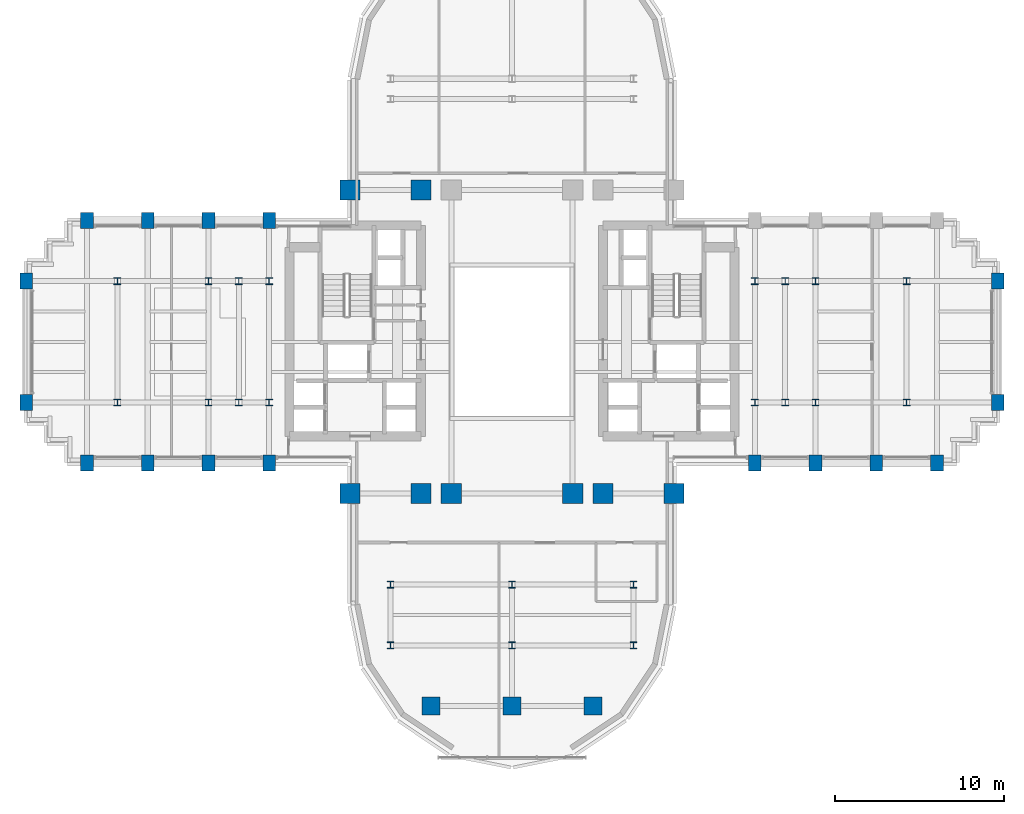
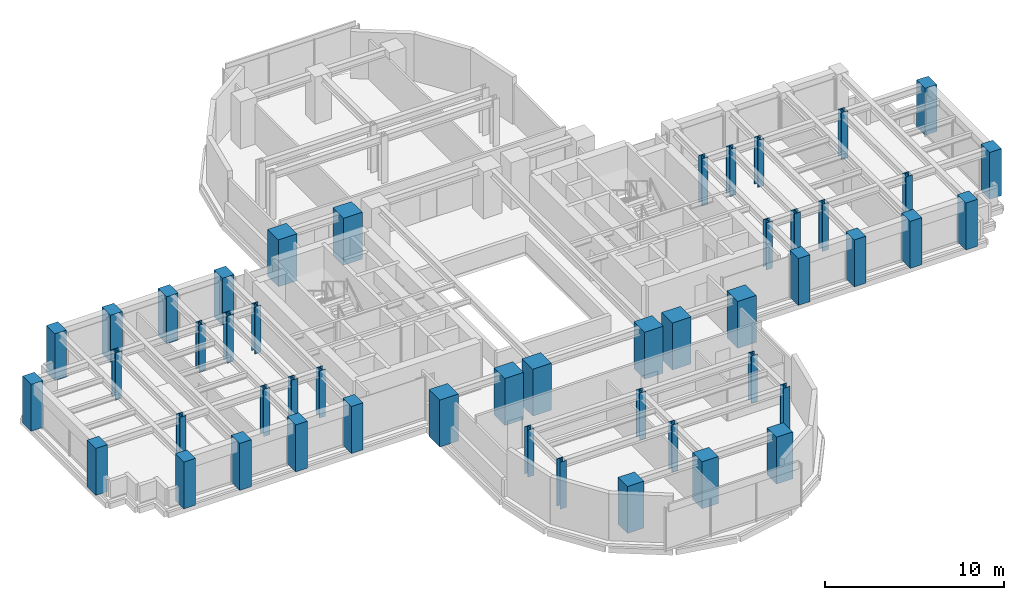
# One storey, part 1 of 16: 49 columns.
"""IFC4 building model written with IfcOpenShell, lengths in metres."""

from ifc_helpers import new_model, si_unit, direction, frame, origin, origin_2d, place, context, subcontext, project, spatial, rectangle, i_section, extrude, source, transform, mapped, material, material_profile, profile_set, type_object, element, save


model = new_model("IFC4")

# Units and contexts
model_context = context("Model", 3, precision=1e-05, world=origin(), true_north=direction((0.0, 1.0)))
body_context = subcontext(model_context, "Body", "Model", "MODEL_VIEW")
ifc_project = project(units=[si_unit("LENGTHUNIT", "METRE"), si_unit("AREAUNIT", "SQUARE_METRE"), si_unit("VOLUMEUNIT", "CUBIC_METRE"), si_unit("PLANEANGLEUNIT", "RADIAN"), si_unit("MASSUNIT", "GRAM", prefix="KILO")], contexts=[model_context])

# Site, building, storey
site_placement = place(None, origin())
site = spatial("IfcSite", under=ifc_project, at=site_placement, CompositionType="ELEMENT")
building_placement = place(site_placement, origin())
building = spatial("IfcBuilding", under=site, at=building_placement, Name="Keilestroom Media Tower", CompositionType="ELEMENT")
storey_placement = place(building_placement, frame((0.0, 0.0, 81.60009765625)))
storey = spatial("IfcBuildingStorey", under=building, at=storey_placement, Name="L21", CompositionType="ELEMENT", Elevation=81.60009765625)

# Columns
ifc_material_1 = material(Name="Precast concrete C40/50", Category="concrete")
ifc_material_profile_1 = material_profile(ifc_material_1, rectangle(XDim=0.75, YDim=0.949951171875, at=origin_2d()), Name="PC 950x750")
ifc_profile_set_1 = profile_set([ifc_material_profile_1], Name="Precast concrete C40/50")
column_type_1 = type_object("IfcColumnType", Name="Structural-Column-PC-950x750", PredefinedType="COLUMN", material=ifc_profile_set_1)
shared_shape_1 = source(origin(), body_context, "Body", "SweptSolid", [
    extrude(rectangle(XDim=0.75, YDim=0.949951171875, at=origin_2d()), origin(), (0.0, 0.0, 1.0), 3.199951171875),
])
for number, where, z_axis, x_axis, name in (
    (1, (-28.800048828125, -3.60009765625, 0.0), (0.0, 0.0, 1.0), (1.0, 0.0, 0.0), "L21 Column PC-1 (-28.8,-3.6)"),
    (2, (-28.800048828125, 3.60009765625, 0.0), (0.0, 0.0, 1.0), (1.0, 0.0, 0.0), "L21 Column PC-1 (-28.8,+3.6)"),
    (3, (-25.199951171875, -7.199951171875, 0.0), (0.0, 0.0, 1.0), (1.0, 0.0, 0.0), "L21 Column PC-1 (-25.2,-7.2)"),
    (4, (-25.199951171875, 7.199951171875, 0.0), (0.0, 0.0, 1.0), (1.0, 0.0, 0.0), "L21 Column PC-1 (-25.2,+7.2)"),
    (5, (-21.60009765625, -7.199951171875, 0.0), (0.0, 0.0, 1.0), (1.0, 0.0, 0.0), "L21 Column PC-1 (-21.6,-7.2)"),
    (6, (-21.60009765625, 7.199951171875, 0.0), (0.0, 0.0, 1.0), (1.0, 0.0, 0.0), "L21 Column PC-1 (-21.6,+7.2)"),
    (7, (-18.0, -7.199951171875, 0.0), (0.0, 0.0, 1.0), (1.0, 0.0, 0.0), "L21 Column PC-1 (-18.0,-7.2)"),
    (8, (-18.0, 7.199951171875, 0.0), (0.0, 0.0, 1.0), (1.0, 0.0, 0.0), "L21 Column PC-1 (-18.0,+7.2)"),
    (9, (-14.39990234375, -7.199951171875, 0.0), (0.0, 0.0, 1.0), (1.0, 0.0, 0.0), "L21 Column PC-1 (-14.4,-7.2)"),
    (10, (-14.39990234375, 7.199951171875, 0.0), (0.0, 0.0, 1.0), (1.0, 0.0, 0.0), "L21 Column PC-1 (-14.4,+7.2)"),
    (11, (14.39990234375, -7.199951171875, 0.0), (0.0, 0.0, 1.0), (1.0, 0.0, 0.0), "L21 Column PC-1 (+14.4,-7.2)"),
    (12, (18.0, -7.199951171875, 0.0), (0.0, 0.0, 1.0), (1.0, 0.0, 0.0), "L21 Column PC-1 (+18.0,-7.2)"),
    (13, (21.60009765625, -7.199951171875, 0.0), (0.0, 0.0, 1.0), (1.0, 0.0, 0.0), "L21 Column PC-1 (+21.6,-7.2)"),
    (14, (25.199951171875, -7.199951171875, 0.0), (0.0, 0.0, 1.0), (1.0, 0.0, 0.0), "L21 Column PC-1 (+25.2,-7.2)"),
    (15, (28.800048828125, -3.60009765625, 0.0), (0.0, 0.0, 1.0), (1.0, 0.0, 0.0), "L21 Column PC-1 (+28.8,-3.6)"),
    (16, (28.800048828125, 3.60009765625, 0.0), (0.0, 0.0, 1.0), (1.0, 0.0, 0.0), "L21 Column PC-1 (+28.8,+3.6)"),
):
    element("IfcColumn", number, at=place(storey_placement, frame(where, z_axis=z_axis, x_axis=x_axis)), inside=storey, type_object=column_type_1, Name=name, PredefinedType="COLUMN", context=body_context, shape_type="MappedRepresentation", body=[
        mapped(shared_shape_1, transform((0.0, 0.0, 0.0), x_axis=(1.0, 0.0, 0.0), y_axis=(0.0, 1.0, 0.0), z_axis=(0.0, 0.0, 1.0), scale=1.0)),
    ])
ifc_material_2 = material(Name="Steel S460", Category="steel")
ifc_material_profile_2 = material_profile(ifc_material_2, i_section(OverallWidth=0.404052734375, OverallDepth=0.406982421875, WebThickness=0.02197265625, FlangeThickness=0.035400390625, at=origin_2d()), Name="HD 400x347")
ifc_profile_set_2 = profile_set([ifc_material_profile_2], Name="Steel S460")
column_type_2 = type_object("IfcColumnType", Name="Structural-Column-HD-400x347", PredefinedType="COLUMN", material=ifc_profile_set_2)
shared_shape_2 = source(origin(), body_context, "Body", "SweptSolid", [
    extrude(i_section(OverallWidth=0.404052734375, OverallDepth=0.406982421875, WebThickness=0.02197265625, FlangeThickness=0.035400390625, at=origin_2d()), origin(), (0.0, 0.0, 1.0), 3.199951171875),
])
for number, where, z_axis, x_axis, name in (
    (17, (-23.39990234375, -3.60009765625, 0.0), (0.0, 0.0, 1.0), (1.0, 0.0, 0.0), "L21 Column SC-2 (-23.4,-3.6)"),
    (18, (-23.39990234375, 3.60009765625, 0.0), (0.0, 0.0, 1.0), (1.0, 0.0, 0.0), "L21 Column SC-2 (-23.4,+3.6)"),
    (19, (-18.0, -3.60009765625, 0.0), (0.0, 0.0, 1.0), (1.0, 0.0, 0.0), "L21 Column SC-2 (-18.0,-3.6)"),
    (20, (-18.0, 3.60009765625, 0.0), (0.0, 0.0, 1.0), (1.0, 0.0, 0.0), "L21 Column SC-2 (-18.0,+3.6)"),
    (21, (-16.199951171875, -3.60009765625, 0.0), (0.0, 0.0, 1.0), (1.0, 0.0, 0.0), "L21 Column SC-2 (-16.2,-3.6)"),
    (22, (-16.199951171875, 3.60009765625, 0.0), (0.0, 0.0, 1.0), (1.0, 0.0, 0.0), "L21 Column SC-2 (-16.2,+3.6)"),
    (23, (-14.39990234375, -3.60009765625, 0.0), (0.0, 0.0, 1.0), (1.0, 0.0, 0.0), "L21 Column SC-2 (-14.4,-3.6)"),
    (24, (-14.39990234375, 3.60009765625, 0.0), (0.0, 0.0, 1.0), (1.0, 0.0, 0.0), "L21 Column SC-2 (-14.4,+3.6)"),
    (25, (-7.199951171875, -18.0, 0.0), (0.0, 0.0, 1.0), (1.0, 0.0, 0.0), "L21 Column SC-2 (-7.2,-18.0)"),
    (26, (-7.199951171875, -14.39990234375, 0.0), (0.0, 0.0, 1.0), (1.0, 0.0, 0.0), "L21 Column SC-2 (-7.2,-14.4)"),
    (27, (0.0, -18.0, 0.0), (0.0, 0.0, 1.0), (1.0, 0.0, 0.0), "L21 Column SC-2 (+0.0,-18.0)"),
    (28, (0.0, -14.39990234375, 0.0), (0.0, 0.0, 1.0), (1.0, 0.0, 0.0), "L21 Column SC-2 (+0.0,-14.4)"),
    (29, (7.199951171875, -18.0, 0.0), (0.0, 0.0, 1.0), (1.0, 0.0, 0.0), "L21 Column SC-2 (+7.2,-18.0)"),
    (30, (7.199951171875, -14.39990234375, 0.0), (0.0, 0.0, 1.0), (1.0, 0.0, 0.0), "L21 Column SC-2 (+7.2,-14.4)"),
    (31, (14.39990234375, -3.60009765625, 0.0), (0.0, 0.0, 1.0), (1.0, 0.0, 0.0), "L21 Column SC-2 (+14.4,-3.6)"),
    (32, (14.39990234375, 3.60009765625, 0.0), (0.0, 0.0, 1.0), (1.0, 0.0, 0.0), "L21 Column SC-2 (+14.4,+3.6)"),
    (33, (16.199951171875, -3.60009765625, 0.0), (0.0, 0.0, 1.0), (1.0, 0.0, 0.0), "L21 Column SC-2 (+16.2,-3.6)"),
    (34, (16.199951171875, 3.60009765625, 0.0), (0.0, 0.0, 1.0), (1.0, 0.0, 0.0), "L21 Column SC-2 (+16.2,+3.6)"),
    (35, (18.0, -3.60009765625, 0.0), (0.0, 0.0, 1.0), (1.0, 0.0, 0.0), "L21 Column SC-2 (+18.0,-3.6)"),
    (36, (18.0, 3.60009765625, 0.0), (0.0, 0.0, 1.0), (1.0, 0.0, 0.0), "L21 Column SC-2 (+18.0,+3.6)"),
    (37, (23.39990234375, -3.60009765625, 0.0), (0.0, 0.0, 1.0), (1.0, 0.0, 0.0), "L21 Column SC-2 (+23.4,-3.6)"),
    (38, (23.39990234375, 3.60009765625, 0.0), (0.0, 0.0, 1.0), (1.0, 0.0, 0.0), "L21 Column SC-2 (+23.4,+3.6)"),
):
    element("IfcColumn", number, at=place(storey_placement, frame(where, z_axis=z_axis, x_axis=x_axis)), inside=storey, type_object=column_type_2, Name=name, PredefinedType="COLUMN", context=body_context, shape_type="MappedRepresentation", body=[
        mapped(shared_shape_2, transform((0.0, 0.0, 0.0), x_axis=(1.0, 0.0, 0.0), y_axis=(0.0, 1.0, 0.0), z_axis=(0.0, 0.0, 1.0), scale=1.0)),
    ])
ifc_material_3 = material(Name="Concrete C70/85", Category="concrete")
ifc_material_profile_3 = material_profile(ifc_material_3, rectangle(XDim=1.199951171875, YDim=1.199951171875, at=origin_2d()), Name="RC 1200x1200")
ifc_profile_set_3 = profile_set([ifc_material_profile_3], Name="Concrete C70/85")
column_type_3 = type_object("IfcColumnType", Name="Structural-Column-RC-1200x1200", PredefinedType="COLUMN", material=ifc_profile_set_3)
shared_shape_3 = source(origin(), body_context, "Body", "SweptSolid", [
    extrude(rectangle(XDim=1.199951171875, YDim=1.199951171875, at=origin_2d()), origin(), (0.0, 0.0, 1.0), 3.199951171875),
])
for number, where, z_axis, x_axis, name in (
    (39, (-9.60009765625, -9.0, 0.0), (0.0, 0.0, 1.0), (1.0, 0.0, 0.0), "L21 Column MC-2 (-9.6,-9.0)"),
    (40, (-9.60009765625, 9.0, 0.0), (0.0, 0.0, 1.0), (1.0, 0.0, 0.0), "L21 Column MC-2 (-9.6,+9.0)"),
    (41, (-5.39990234375, -9.0, 0.0), (0.0, 0.0, 1.0), (1.0, 0.0, 0.0), "L21 Column MC-2 (-5.4,-9.0)"),
    (42, (-5.39990234375, 9.0, 0.0), (0.0, 0.0, 1.0), (1.0, 0.0, 0.0), "L21 Column MC-2 (-5.4,+9.0)"),
    (43, (-3.60009765625, -9.0, 0.0), (0.0, 0.0, 1.0), (1.0, 0.0, 0.0), "L21 Column MC-2 (-3.6,-9.0)"),
    (44, (3.60009765625, -9.0, 0.0), (0.0, 0.0, 1.0), (1.0, 0.0, 0.0), "L21 Column MC-2 (+3.6,-9.0)"),
    (45, (5.39990234375, -9.0, 0.0), (0.0, 0.0, 1.0), (1.0, 0.0, 0.0), "L21 Column MC-2 (+5.4,-9.0)"),
    (46, (9.60009765625, -9.0, 0.0), (0.0, 0.0, 1.0), (1.0, 0.0, 0.0), "L21 Column MC-2 (+9.6,-9.0)"),
):
    element("IfcColumn", number, at=place(storey_placement, frame(where, z_axis=z_axis, x_axis=x_axis)), inside=storey, type_object=column_type_3, Name=name, PredefinedType="COLUMN", context=body_context, shape_type="MappedRepresentation", body=[
        mapped(shared_shape_3, transform((0.0, 0.0, 0.0), x_axis=(1.0, 0.0, 0.0), y_axis=(0.0, 1.0, 0.0), z_axis=(0.0, 0.0, 1.0), scale=1.0)),
    ])
ifc_material_4 = material(Name="Concrete C55/67", Category="concrete")
ifc_material_profile_4 = material_profile(ifc_material_4, rectangle(XDim=1.050048828125, YDim=1.050048828125, at=origin_2d()), Name="RC 1050x1050")
ifc_profile_set_4 = profile_set([ifc_material_profile_4], Name="Concrete C55/67")
column_type_4 = type_object("IfcColumnType", Name="Structural-Column-RC-1050x1050", PredefinedType="COLUMN", material=ifc_profile_set_4)
shared_shape_4 = source(origin(), body_context, "Body", "SweptSolid", [
    extrude(rectangle(XDim=1.050048828125, YDim=1.050048828125, at=origin_2d()), origin(), (0.0, 0.0, 1.0), 3.199951171875),
])
for number, where, z_axis, x_axis, name in (
    (47, (-4.800048828125, -21.60009765625, 0.0), (0.0, 0.0, 1.0), (1.0, 0.0, 0.0), "L21 Column MC-3 (-4.8,-21.6)"),
    (48, (0.0, -21.60009765625, 0.0), (0.0, 0.0, 1.0), (1.0, 0.0, 0.0), "L21 Column MC-3 (+0.0,-21.6)"),
    (49, (4.800048828125, -21.60009765625, 0.0), (0.0, 0.0, 1.0), (1.0, 0.0, 0.0), "L21 Column MC-3 (+4.8,-21.6)"),
):
    element("IfcColumn", number, at=place(storey_placement, frame(where, z_axis=z_axis, x_axis=x_axis)), inside=storey, type_object=column_type_4, Name=name, PredefinedType="COLUMN", context=body_context, shape_type="MappedRepresentation", body=[
        mapped(shared_shape_4, transform((0.0, 0.0, 0.0), x_axis=(1.0, 0.0, 0.0), y_axis=(0.0, 1.0, 0.0), z_axis=(0.0, 0.0, 1.0), scale=1.0)),
    ])

save(model, "model.ifc")
